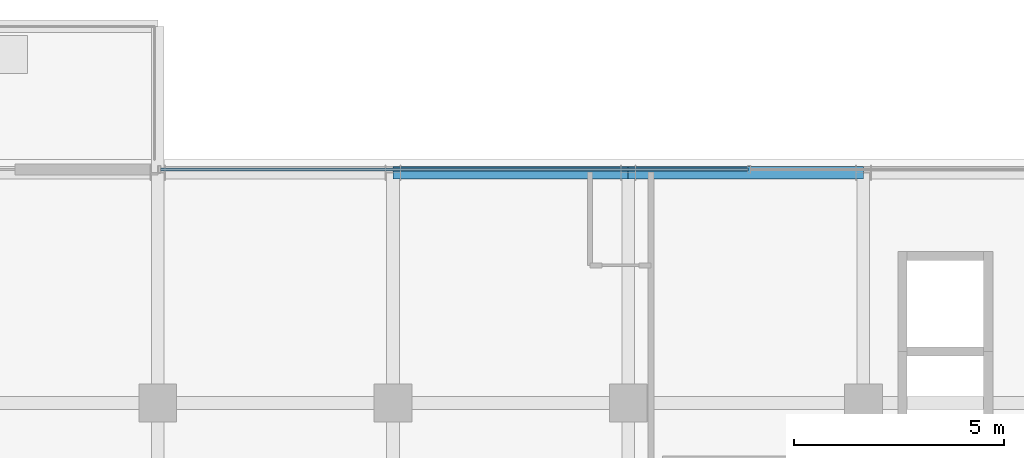
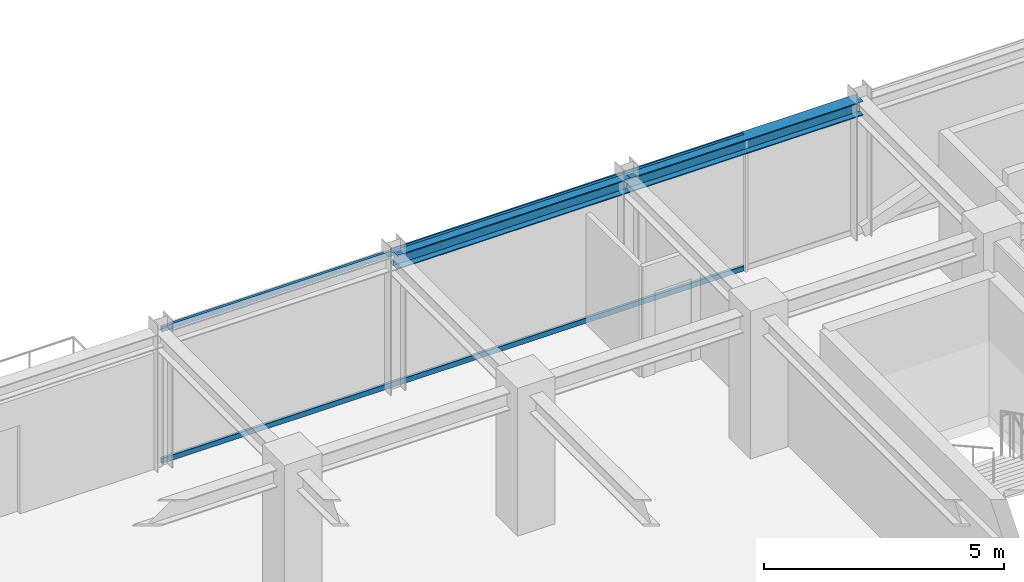
# One storey, part 22 of 34: 2 beams, 2 members, 1 element without a shape of its own.
"""IFC4 building model written with IfcOpenShell, lengths in metres."""

from ifc_helpers import new_model, si_unit, direction, frame, origin, origin_2d, place, context, subcontext, project, spatial, hollow_rectangle, i_section, extrude, source, transform, mapped, material, material_profile, profile_set, type_object, element, aggregate, save


model = new_model("IFC4")

# Units and contexts
model_context = context("Model", 3, precision=1e-05, world=origin(), true_north=direction((0.0, 1.0)))
body_context = subcontext(model_context, "Body", "Model", "MODEL_VIEW")
ifc_project = project(units=[si_unit("LENGTHUNIT", "METRE"), si_unit("AREAUNIT", "SQUARE_METRE"), si_unit("VOLUMEUNIT", "CUBIC_METRE"), si_unit("PLANEANGLEUNIT", "RADIAN"), si_unit("MASSUNIT", "GRAM", prefix="KILO")], contexts=[model_context])

# Site, building, storey
site_placement = place(None, origin())
site = spatial("IfcSite", under=ifc_project, at=site_placement, CompositionType="ELEMENT")
building_placement = place(site_placement, origin())
building = spatial("IfcBuilding", under=site, at=building_placement, Name="Nahalor Promenade Grand Hotel", CompositionType="ELEMENT")
storey_placement = place(building_placement, frame((0.0, 0.0, 334.75)))
storey = spatial("IfcBuildingStorey", under=building, at=storey_placement, Name="L86", CompositionType="ELEMENT", Elevation=334.75)

# Beams
ifc_material_1 = material(Name="Steel S355JR", Category="steel")
ifc_material_profile_1 = material_profile(ifc_material_1, i_section(OverallWidth=0.3, OverallDepth=0.36, WebThickness=0.0125, FlangeThickness=0.0225, at=origin_2d()), Name="HEB 360")
ifc_profile_set_1 = profile_set([ifc_material_profile_1], Name="Steel S355JR")
beam_type = type_object("IfcBeamType", Name="Beam-Spandrel-HEB360", PredefinedType="SPANDREL", material=ifc_profile_set_1)
shared_shape_1 = source(origin(), body_context, "Body", "SweptSolid", [
    extrude(i_section(OverallWidth=0.3, OverallDepth=0.36, WebThickness=0.0125, FlangeThickness=0.0225, at=origin_2d()), origin(), (0.0, 0.0, 1.0), 5.599853515625),
])
beam_1_placement = place(storey_placement, frame((2.800048828125, 22.47998046875, 3.2900390625), z_axis=(1.0, 0.0, 0.0), x_axis=(0.0, 1.0, 0.0)))
element("IfcBeam", 1, at=beam_1_placement, inside=storey, type_object=beam_type, Name="BM-L86-SP-N-3", PredefinedType="SPANDREL", context=body_context, shape_type="MappedRepresentation", body=[
    mapped(shared_shape_1, transform((0.0, 0.0, 0.0), scale=1.0)),
])
shared_shape_2 = source(origin(), body_context, "Body", "SweptSolid", [
    extrude(i_section(OverallWidth=0.3, OverallDepth=0.36, WebThickness=0.0125, FlangeThickness=0.0225, at=origin_2d()), origin(), (0.0, 0.0, 1.0), 5.60009765625),
])
beam_2_placement = place(storey_placement, frame((-2.800048828125, 22.47998046875, 3.2900390625), z_axis=(1.0, 0.0, 0.0), x_axis=(0.0, 1.0, 0.0)))
element("IfcBeam", 2, at=beam_2_placement, inside=storey, type_object=beam_type, Name="BM-L86-SP-N-2", PredefinedType="SPANDREL", context=body_context, shape_type="MappedRepresentation", body=[
    mapped(shared_shape_2, transform((0.0, 0.0, 0.0), scale=1.0)),
])

# Curtain wall, members
ifc_material_2 = material(Name="Anodised Bronze Aluminium EN AW-6063 T6", Category="aluminium")
curtain_wall_type = type_object("IfcCurtainWallType", Name="CW2 Typical Hotel Flush Bronze Unitised Curtain Wall", PredefinedType="USERDEFINED", material=ifc_material_2)
curtain_wall_placement = place(storey_placement, origin())
curtain_wall = element("IfcCurtainWall", 3, at=curtain_wall_placement, inside=storey, type_object=curtain_wall_type, Name="L86 Curtain Wall CW-L86-N-3", ObjectType="UNITISED_CURTAIN_WALL", PredefinedType="USERDEFINED")
ifc_material_profile_2 = material_profile(ifc_material_2, hollow_rectangle(XDim=0.065, YDim=0.13, WallThickness=0.004, at=origin_2d()), Name="CWT 65x130x4")
ifc_profile_set_2 = profile_set([ifc_material_profile_2], Name="Anodised Bronze Aluminium EN AW-6063 T6")
member_type = type_object("IfcMemberType", Name="CWT2 Typical Bronze Transom 65x130", PredefinedType="USERDEFINED", material=ifc_profile_set_2)
shared_shape_3 = source(origin(), body_context, "Body", "SweptSolid", [
    extrude(hollow_rectangle(XDim=0.065, YDim=0.13, WallThickness=0.004, at=origin_2d()), origin(), (0.0, 0.0, 1.0), 13.982421875),
])
member_1_placement = place(storey_placement, frame((-8.3349609375, 22.56005859375, 0.06494140625), z_axis=(1.0, 0.0, 0.0), x_axis=(0.0, 1.0, 0.0)))
member_1 = element("IfcMember", 4, at=member_1_placement, type_object=member_type, Name="CW-L86-N-3 Transom 0-0", ObjectType="TRANSOM", PredefinedType="USERDEFINED", context=body_context, shape_type="MappedRepresentation", body=[
    mapped(shared_shape_3, transform((0.0, 0.0, 0.0), scale=1.0)),
])
member_2_placement = place(storey_placement, frame((-8.3349609375, 22.56005859375, 3.405029296875), z_axis=(1.0, 0.0, 0.0), x_axis=(0.0, 1.0, 0.0)))
member_2 = element("IfcMember", 5, at=member_2_placement, type_object=member_type, Name="CW-L86-N-3 Transom 0-1", ObjectType="TRANSOM", PredefinedType="USERDEFINED", context=body_context, shape_type="MappedRepresentation", body=[
    mapped(shared_shape_3, transform((0.0, 0.0, 0.0), scale=1.0)),
])
aggregate(curtain_wall, [member_1, member_2])

save(model, "model.ifc")
